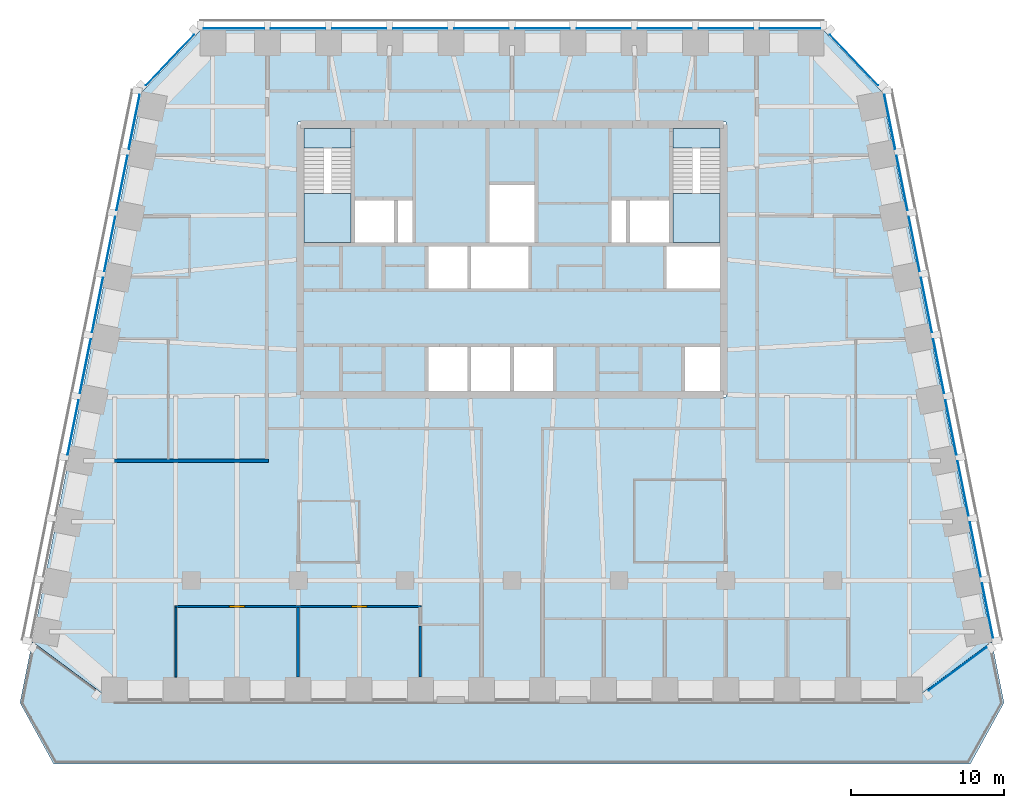
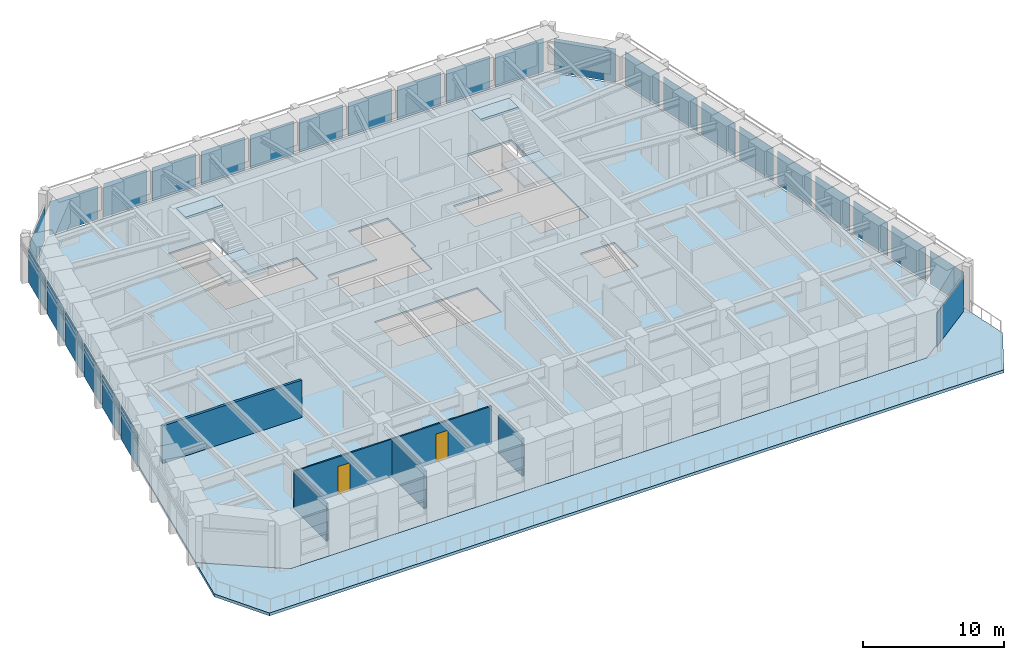
# One storey, part 4 of 10: 28 plates, 6 slabs, 5 walls, 2 doors, 2 openings, 8 elements without a shape of their own.
"""IFC4 building model written with IfcOpenShell, lengths in metres."""

from ifc_helpers import new_model, si_unit, direction, frame, frame_2d, origin, origin_2d, place, context, subcontext, project, spatial, polyline, rectangle, outline, extrude, material, layer, layer_set, type_object, element, fill, aggregate, save


model = new_model("IFC4")

# Units and contexts
model_context = context("Model", 3, precision=1e-05, world=origin(), true_north=direction((0.0, 1.0)))
body_context = subcontext(model_context, "Body", "Model", "MODEL_VIEW")
ifc_project = project(units=[si_unit("LENGTHUNIT", "METRE"), si_unit("AREAUNIT", "SQUARE_METRE"), si_unit("VOLUMEUNIT", "CUBIC_METRE"), si_unit("PLANEANGLEUNIT", "RADIAN"), si_unit("MASSUNIT", "GRAM", prefix="KILO")], contexts=[model_context])

# Site, building, storey
site_placement = place(None, origin())
site = spatial("IfcSite", under=ifc_project, at=site_placement, CompositionType="ELEMENT")
building_placement = place(site_placement, origin())
building = spatial("IfcBuilding", under=site, at=building_placement, Name="Isbrekke Arena Tower", CompositionType="ELEMENT")
storey_placement = place(building_placement, frame((0.0, 0.0, 260.0)))
storey = spatial("IfcBuildingStorey", under=building, at=storey_placement, Name="L60", CompositionType="ELEMENT", Elevation=260.0)

# Curtain wall, plate
ifc_material_1 = material(Name="Glazed aluminium curtain wall", Category="aluminium")
curtain_wall_type = type_object("IfcCurtainWallType", Name="CWT TOWER CURTAIN WALL TOP ZONE", PredefinedType="USERDEFINED", material=ifc_material_1)
curtain_wall_1_placement = place(storey_placement, origin())
curtain_wall_1 = element("IfcCurtainWall", 1, at=curtain_wall_1_placement, inside=storey, type_object=curtain_wall_type, Name="CWT curtain wall L60-SE", ObjectType="TOWER CURTAIN WALL TOP ZONE", PredefinedType="USERDEFINED")
ifc_material_2 = material(Name="Triple-glazed clear glass unit", Category="glass")
ifc_layer_1 = layer(ifc_material_2, 0.031982421875)
ifc_layer_set_1 = layer_set([ifc_layer_1], Name="CWT-P VISION PANEL")
plate_type = type_object("IfcPlateType", Name="CWT-P VISION PANEL", PredefinedType="CURTAIN_PANEL", material=ifc_layer_set_1)
plate_1_placement = place(storey_placement, frame((29.16259765625, -11.78173828125, 0.02001953125), z_axis=(0.0, 0.0, 1.0), x_axis=(0.803557193345, 0.595227550626, 0.0)))
plate_1 = element("IfcPlate", 2, at=plate_1_placement, type_object=plate_type, Name="CWT-P panel 1", PredefinedType="CURTAIN_PANEL", context=body_context, shape_type="SweptSolid", body=[
    extrude(rectangle(XDim=4.71435546875, YDim=0.031982421875, at=origin_2d()), origin(), (0.0, 0.0, 1.0), 2.8798828125),
])
aggregate(curtain_wall_1, [plate_1])

# Curtain wall, plates
curtain_wall_2_placement = place(storey_placement, origin())
curtain_wall_2 = element("IfcCurtainWall", 3, at=curtain_wall_2_placement, inside=storey, type_object=curtain_wall_type, Name="CWT curtain wall L60-E", ObjectType="TOWER CURTAIN WALL TOP ZONE", PredefinedType="USERDEFINED")
plate_2_placement = place(storey_placement, frame((31.12255859375, -7.9755859375, 0.02001953125), z_axis=(0.0, 0.0, 1.0), x_axis=(-0.196116135138, 0.980580675691, 0.0)))
plate_2 = element("IfcPlate", 4, at=plate_2_placement, type_object=plate_type, Name="CWT-P panel 1", PredefinedType="CURTAIN_PANEL", context=body_context, shape_type="SweptSolid", body=[
    extrude(rectangle(XDim=3.629150390625, YDim=0.031982421875, at=origin_2d()), origin(), (0.0, 0.0, 1.0), 2.8798828125),
])
plate_3_placement = place(storey_placement, frame((30.322509765625, -3.9755859375, 0.02001953125), z_axis=(0.0, 0.0, 1.0), x_axis=(-0.196116135138, 0.980580675691, 0.0)))
plate_3 = element("IfcPlate", 5, at=plate_3_placement, type_object=plate_type, Name="CWT-P panel 2", PredefinedType="CURTAIN_PANEL", context=body_context, shape_type="SweptSolid", body=[
    extrude(rectangle(XDim=3.629150390625, YDim=0.031982421875, at=origin_2d()), origin(), (0.0, 0.0, 1.0), 2.8798828125),
])
plate_4_placement = place(storey_placement, frame((29.5224609375, 0.0244140625, 0.02001953125), z_axis=(0.0, 0.0, 1.0), x_axis=(-0.196116135138, 0.980580675691, 0.0)))
plate_4 = element("IfcPlate", 6, at=plate_4_placement, type_object=plate_type, Name="CWT-P panel 3", PredefinedType="CURTAIN_PANEL", context=body_context, shape_type="SweptSolid", body=[
    extrude(rectangle(XDim=3.629150390625, YDim=0.031982421875, at=origin_2d()), origin(), (0.0, 0.0, 1.0), 2.8798828125),
])
plate_5_placement = place(storey_placement, frame((28.72265625, 4.0244140625, 0.02001953125), z_axis=(0.0, 0.0, 1.0), x_axis=(-0.196116135138, 0.980580675691, 0.0)))
plate_5 = element("IfcPlate", 7, at=plate_5_placement, type_object=plate_type, Name="CWT-P panel 4", PredefinedType="CURTAIN_PANEL", context=body_context, shape_type="SweptSolid", body=[
    extrude(rectangle(XDim=3.629150390625, YDim=0.031982421875, at=origin_2d()), origin(), (0.0, 0.0, 1.0), 2.8798828125),
])
plate_6_placement = place(storey_placement, frame((27.922607421875, 8.0244140625, 0.02001953125), z_axis=(0.0, 0.0, 1.0), x_axis=(-0.196116135138, 0.980580675691, 0.0)))
plate_6 = element("IfcPlate", 8, at=plate_6_placement, type_object=plate_type, Name="CWT-P panel 5", PredefinedType="CURTAIN_PANEL", context=body_context, shape_type="SweptSolid", body=[
    extrude(rectangle(XDim=3.629150390625, YDim=0.031982421875, at=origin_2d()), origin(), (0.0, 0.0, 1.0), 2.8798828125),
])
plate_7_placement = place(storey_placement, frame((27.12255859375, 12.0244140625, 0.02001953125), z_axis=(0.0, 0.0, 1.0), x_axis=(-0.196116135138, 0.980580675691, 0.0)))
plate_7 = element("IfcPlate", 9, at=plate_7_placement, type_object=plate_type, Name="CWT-P panel 6", PredefinedType="CURTAIN_PANEL", context=body_context, shape_type="SweptSolid", body=[
    extrude(rectangle(XDim=3.629150390625, YDim=0.031982421875, at=origin_2d()), origin(), (0.0, 0.0, 1.0), 2.8798828125),
])
plate_8_placement = place(storey_placement, frame((26.322509765625, 16.0244140625, 0.02001953125), z_axis=(0.0, 0.0, 1.0), x_axis=(-0.196116135138, 0.980580675691, 0.0)))
plate_8 = element("IfcPlate", 10, at=plate_8_placement, type_object=plate_type, Name="CWT-P panel 7", PredefinedType="CURTAIN_PANEL", context=body_context, shape_type="SweptSolid", body=[
    extrude(rectangle(XDim=3.629150390625, YDim=0.031982421875, at=origin_2d()), origin(), (0.0, 0.0, 1.0), 2.8798828125),
])
plate_9_placement = place(storey_placement, frame((25.5224609375, 20.0244140625, 0.02001953125), z_axis=(0.0, 0.0, 1.0), x_axis=(-0.196116135138, 0.980580675691, 0.0)))
plate_9 = element("IfcPlate", 11, at=plate_9_placement, type_object=plate_type, Name="CWT-P panel 8", PredefinedType="CURTAIN_PANEL", context=body_context, shape_type="SweptSolid", body=[
    extrude(rectangle(XDim=3.629150390625, YDim=0.031982421875, at=origin_2d()), origin(), (0.0, 0.0, 1.0), 2.8798828125),
])
plate_10_placement = place(storey_placement, frame((24.72265625, 24.0244140625, 0.02001953125), z_axis=(0.0, 0.0, 1.0), x_axis=(-0.196116135138, 0.980580675691, 0.0)))
plate_10 = element("IfcPlate", 12, at=plate_10_placement, type_object=plate_type, Name="CWT-P panel 9", PredefinedType="CURTAIN_PANEL", context=body_context, shape_type="SweptSolid", body=[
    extrude(rectangle(XDim=3.629150390625, YDim=0.031982421875, at=origin_2d()), origin(), (0.0, 0.0, 1.0), 2.8798828125),
])
aggregate(curtain_wall_2, [plate_2, plate_3, plate_4, plate_5, plate_6, plate_7, plate_8, plate_9, plate_10])

# Curtain wall, plate
curtain_wall_3_placement = place(storey_placement, origin())
curtain_wall_3 = element("IfcCurtainWall", 13, at=curtain_wall_3_placement, inside=storey, type_object=curtain_wall_type, Name="CWT curtain wall L60-EN", ObjectType="TOWER CURTAIN WALL TOP ZONE", PredefinedType="USERDEFINED")
plate_11_placement = place(storey_placement, frame((22.374755859375, 28.06640625, 0.02001953125), z_axis=(0.0, 0.0, 1.0), x_axis=(-0.68874946192, 0.72499943359, 0.0)))
plate_11 = element("IfcPlate", 14, at=plate_11_placement, type_object=plate_type, Name="CWT-P panel 1", PredefinedType="CURTAIN_PANEL", context=body_context, shape_type="SweptSolid", body=[
    extrude(rectangle(XDim=4.558349609375, YDim=0.031982421875, at=origin_2d()), origin(), (0.0, 0.0, 1.0), 2.8798828125),
])
aggregate(curtain_wall_3, [plate_11])

# Curtain wall, plates
curtain_wall_4_placement = place(storey_placement, origin())
curtain_wall_4 = element("IfcCurtainWall", 15, at=curtain_wall_4_placement, inside=storey, type_object=curtain_wall_type, Name="CWT curtain wall L60-N", ObjectType="TOWER CURTAIN WALL TOP ZONE", PredefinedType="USERDEFINED")
plate_12_placement = place(storey_placement, frame((18.199951171875, 30.125, 0.02001953125), z_axis=(0.0, 0.0, 1.0), x_axis=(-1.0, 0.0, 0.0)))
plate_12 = element("IfcPlate", 16, at=plate_12_placement, type_object=plate_type, Name="CWT-P panel 1", PredefinedType="CURTAIN_PANEL", context=body_context, shape_type="SweptSolid", body=[
    extrude(rectangle(XDim=3.949951171875, YDim=0.031982421875, at=origin_2d()), origin(), (0.0, 0.0, 1.0), 2.8798828125),
])
plate_13_placement = place(storey_placement, frame((14.0, 30.125, 0.02001953125), z_axis=(0.0, 0.0, 1.0), x_axis=(-1.0, 0.0, 0.0)))
plate_13 = element("IfcPlate", 17, at=plate_13_placement, type_object=plate_type, Name="CWT-P panel 2", PredefinedType="CURTAIN_PANEL", context=body_context, shape_type="SweptSolid", body=[
    extrude(rectangle(XDim=3.550048828125, YDim=0.031982421875, at=origin_2d()), origin(), (0.0, 0.0, 1.0), 2.8798828125),
])
plate_14_placement = place(storey_placement, frame((10.0, 30.125, 0.02001953125), z_axis=(0.0, 0.0, 1.0), x_axis=(-1.0, 0.0, 0.0)))
plate_14 = element("IfcPlate", 18, at=plate_14_placement, type_object=plate_type, Name="CWT-P panel 3", PredefinedType="CURTAIN_PANEL", context=body_context, shape_type="SweptSolid", body=[
    extrude(rectangle(XDim=3.550048828125, YDim=0.031982421875, at=origin_2d()), origin(), (0.0, 0.0, 1.0), 2.8798828125),
])
plate_15_placement = place(storey_placement, frame((6.0, 30.125, 0.02001953125), z_axis=(0.0, 0.0, 1.0), x_axis=(-1.0, 0.0, 0.0)))
plate_15 = element("IfcPlate", 19, at=plate_15_placement, type_object=plate_type, Name="CWT-P panel 4", PredefinedType="CURTAIN_PANEL", context=body_context, shape_type="SweptSolid", body=[
    extrude(rectangle(XDim=3.550048828125, YDim=0.031982421875, at=origin_2d()), origin(), (0.0, 0.0, 1.0), 2.8798828125),
])
plate_16_placement = place(storey_placement, frame((2.0, 30.125, 0.02001953125), z_axis=(0.0, 0.0, 1.0), x_axis=(-1.0, 0.0, 0.0)))
plate_16 = element("IfcPlate", 20, at=plate_16_placement, type_object=plate_type, Name="CWT-P panel 5", PredefinedType="CURTAIN_PANEL", context=body_context, shape_type="SweptSolid", body=[
    extrude(rectangle(XDim=3.550048828125, YDim=0.031982421875, at=origin_2d()), origin(), (0.0, 0.0, 1.0), 2.8798828125),
])
plate_17_placement = place(storey_placement, frame((-2.0, 30.125, 0.02001953125), z_axis=(0.0, 0.0, 1.0), x_axis=(-1.0, 0.0, 0.0)))
plate_17 = element("IfcPlate", 21, at=plate_17_placement, type_object=plate_type, Name="CWT-P panel 6", PredefinedType="CURTAIN_PANEL", context=body_context, shape_type="SweptSolid", body=[
    extrude(rectangle(XDim=3.550048828125, YDim=0.031982421875, at=origin_2d()), origin(), (0.0, 0.0, 1.0), 2.8798828125),
])
plate_18_placement = place(storey_placement, frame((-6.0, 30.125, 0.02001953125), z_axis=(0.0, 0.0, 1.0), x_axis=(-1.0, 0.0, 0.0)))
plate_18 = element("IfcPlate", 22, at=plate_18_placement, type_object=plate_type, Name="CWT-P panel 7", PredefinedType="CURTAIN_PANEL", context=body_context, shape_type="SweptSolid", body=[
    extrude(rectangle(XDim=3.550048828125, YDim=0.031982421875, at=origin_2d()), origin(), (0.0, 0.0, 1.0), 2.8798828125),
])
plate_19_placement = place(storey_placement, frame((-10.0, 30.125, 0.02001953125), z_axis=(0.0, 0.0, 1.0), x_axis=(-1.0, 0.0, 0.0)))
plate_19 = element("IfcPlate", 23, at=plate_19_placement, type_object=plate_type, Name="CWT-P panel 8", PredefinedType="CURTAIN_PANEL", context=body_context, shape_type="SweptSolid", body=[
    extrude(rectangle(XDim=3.550048828125, YDim=0.031982421875, at=origin_2d()), origin(), (0.0, 0.0, 1.0), 2.8798828125),
])
plate_20_placement = place(storey_placement, frame((-14.0, 30.125, 0.02001953125), z_axis=(0.0, 0.0, 1.0), x_axis=(-1.0, 0.0, 0.0)))
plate_20 = element("IfcPlate", 24, at=plate_20_placement, type_object=plate_type, Name="CWT-P panel 9", PredefinedType="CURTAIN_PANEL", context=body_context, shape_type="SweptSolid", body=[
    extrude(rectangle(XDim=3.550048828125, YDim=0.031982421875, at=origin_2d()), origin(), (0.0, 0.0, 1.0), 2.8798828125),
])
plate_21_placement = place(storey_placement, frame((-18.199951171875, 30.125, 0.02001953125), z_axis=(0.0, 0.0, 1.0), x_axis=(-1.0, 0.0, 0.0)))
plate_21 = element("IfcPlate", 25, at=plate_21_placement, type_object=plate_type, Name="CWT-P panel 10", PredefinedType="CURTAIN_PANEL", context=body_context, shape_type="SweptSolid", body=[
    extrude(rectangle(XDim=3.949951171875, YDim=0.031982421875, at=origin_2d()), origin(), (0.0, 0.0, 1.0), 2.8798828125),
])
aggregate(curtain_wall_4, [plate_12, plate_13, plate_14, plate_15, plate_16, plate_17, plate_18, plate_19, plate_20, plate_21])

# Curtain wall, plate
curtain_wall_5_placement = place(storey_placement, origin())
curtain_wall_5 = element("IfcCurtainWall", 26, at=curtain_wall_5_placement, inside=storey, type_object=curtain_wall_type, Name="CWT curtain wall L60-NW", ObjectType="TOWER CURTAIN WALL TOP ZONE", PredefinedType="USERDEFINED")
plate_22_placement = place(storey_placement, frame((-22.37451171875, 28.066650390625, 0.02001953125), z_axis=(0.0, 0.0, 1.0), x_axis=(-0.68874946192, -0.72499943359, 0.0)))
plate_22 = element("IfcPlate", 27, at=plate_22_placement, type_object=plate_type, Name="CWT-P panel 1", PredefinedType="CURTAIN_PANEL", context=body_context, shape_type="SweptSolid", body=[
    extrude(rectangle(XDim=4.557373046875, YDim=0.031982421875, at=origin_2d()), origin(), (0.0, 0.0, 1.0), 2.8798828125),
])
aggregate(curtain_wall_5, [plate_22])

# Curtain wall, plates
curtain_wall_6_placement = place(storey_placement, origin())
curtain_wall_6 = element("IfcCurtainWall", 28, at=curtain_wall_6_placement, inside=storey, type_object=curtain_wall_type, Name="CWT curtain wall L60-W", ObjectType="TOWER CURTAIN WALL TOP ZONE", PredefinedType="USERDEFINED")
plate_23_placement = place(storey_placement, frame((-24.72265625, 24.0244140625, 0.02001953125), z_axis=(0.0, 0.0, 1.0), x_axis=(-0.196116135138, -0.980580675691, 0.0)))
plate_23 = element("IfcPlate", 29, at=plate_23_placement, type_object=plate_type, Name="CWT-P panel 1", PredefinedType="CURTAIN_PANEL", context=body_context, shape_type="SweptSolid", body=[
    extrude(rectangle(XDim=3.629150390625, YDim=0.031982421875, at=origin_2d()), origin(), (0.0, 0.0, 1.0), 2.8798828125),
])
plate_24_placement = place(storey_placement, frame((-25.5224609375, 20.0244140625, 0.02001953125), z_axis=(0.0, 0.0, 1.0), x_axis=(-0.196116135138, -0.980580675691, 0.0)))
plate_24 = element("IfcPlate", 30, at=plate_24_placement, type_object=plate_type, Name="CWT-P panel 2", PredefinedType="CURTAIN_PANEL", context=body_context, shape_type="SweptSolid", body=[
    extrude(rectangle(XDim=3.629150390625, YDim=0.031982421875, at=origin_2d()), origin(), (0.0, 0.0, 1.0), 2.8798828125),
])
plate_25_placement = place(storey_placement, frame((-26.322509765625, 16.0244140625, 0.02001953125), z_axis=(0.0, 0.0, 1.0), x_axis=(-0.196116135138, -0.980580675691, 0.0)))
plate_25 = element("IfcPlate", 31, at=plate_25_placement, type_object=plate_type, Name="CWT-P panel 3", PredefinedType="CURTAIN_PANEL", context=body_context, shape_type="SweptSolid", body=[
    extrude(rectangle(XDim=3.629150390625, YDim=0.031982421875, at=origin_2d()), origin(), (0.0, 0.0, 1.0), 2.8798828125),
])
plate_26_placement = place(storey_placement, frame((-27.12255859375, 12.0244140625, 0.02001953125), z_axis=(0.0, 0.0, 1.0), x_axis=(-0.196116135138, -0.980580675691, 0.0)))
plate_26 = element("IfcPlate", 32, at=plate_26_placement, type_object=plate_type, Name="CWT-P panel 4", PredefinedType="CURTAIN_PANEL", context=body_context, shape_type="SweptSolid", body=[
    extrude(rectangle(XDim=3.629150390625, YDim=0.031982421875, at=origin_2d()), origin(), (0.0, 0.0, 1.0), 2.8798828125),
])
plate_27_placement = place(storey_placement, frame((-27.922607421875, 8.0244140625, 0.02001953125), z_axis=(0.0, 0.0, 1.0), x_axis=(-0.196116135138, -0.980580675691, 0.0)))
plate_27 = element("IfcPlate", 33, at=plate_27_placement, type_object=plate_type, Name="CWT-P panel 5", PredefinedType="CURTAIN_PANEL", context=body_context, shape_type="SweptSolid", body=[
    extrude(rectangle(XDim=3.629150390625, YDim=0.031982421875, at=origin_2d()), origin(), (0.0, 0.0, 1.0), 2.8798828125),
])
plate_28_placement = place(storey_placement, frame((-28.72265625, 4.0244140625, 0.02001953125), z_axis=(0.0, 0.0, 1.0), x_axis=(-0.196116135138, -0.980580675691, 0.0)))
plate_28 = element("IfcPlate", 34, at=plate_28_placement, type_object=plate_type, Name="CWT-P panel 6", PredefinedType="CURTAIN_PANEL", context=body_context, shape_type="SweptSolid", body=[
    extrude(rectangle(XDim=3.629150390625, YDim=0.031982421875, at=origin_2d()), origin(), (0.0, 0.0, 1.0), 2.8798828125),
])
aggregate(curtain_wall_6, [plate_23, plate_24, plate_25, plate_26, plate_27, plate_28])

# Slab
ifc_material_3 = material(Name="Concrete B35 (C35/45)", Category="concrete")
ifc_layer_2 = layer(ifc_material_3, 0.14990234375)
ifc_layer_set_2 = layer_set([ifc_layer_2], Name="FS1 COMPOSITE FLOOR 150")
slab_type_1 = type_object("IfcSlabType", Name="FS1 COMPOSITE FLOOR 150", PredefinedType="FLOOR", material=ifc_layer_set_2)
slab_1_placement = place(storey_placement, frame((0.0, 0.0, -0.14990234375)))
element("IfcSlab", 35, at=slab_1_placement, inside=storey, type_object=slab_type_1, Name="FS1 floor slab L60", PredefinedType="FLOOR", context=body_context, shape_type="SweptSolid", body=[
    extrude(outline(polyline([(-26.0, -14.0), (26.0, -14.0), (31.39990234375, -10.0), (24.199951171875, 26.0), (20.39990234375, 30.0), (-20.39990234375, 30.0), (-24.199951171875, 26.0), (-31.39990234375, -10.0), (-26.0, -14.0)]), holes=[polyline([(2.800048828125, 9.39990234375), (2.800048828125, 6.0), (-5.60009765625, 6.0), (-5.60009765625, 9.39990234375), (2.800048828125, 9.39990234375)]), polyline([(11.199951171875, 6.0), (11.199951171875, 9.39990234375), (14.0, 9.39990234375), (14.0, 6.0), (11.199951171875, 6.0)]), polyline([(-5.60009765625, 13.0), (-5.60009765625, 16.0), (-1.60009765625, 16.0), (-1.60009765625, 20.0), (1.60009765625, 20.0), (1.60009765625, 16.0), (1.199951171875, 16.0), (1.199951171875, 13.0), (-5.60009765625, 13.0)]), polyline([(14.0, 13.0), (10.0, 13.0), (10.0, 16.0), (6.39990234375, 16.0), (6.39990234375, 19.0), (10.39990234375, 19.0), (10.39990234375, 24.0), (14.0, 24.0), (14.0, 13.0)]), polyline([(-6.39990234375, 19.0), (-6.39990234375, 16.0), (-14.0, 16.0), (-14.0, 24.0), (-10.39990234375, 24.0), (-10.39990234375, 19.0), (-6.39990234375, 19.0)])]), origin(), (0.0, 0.0, 1.0), 0.14990234375),
])

# Stair, slabs
ifc_material_4 = material(Name="Concrete B45 (C45/55) precast", Category="concrete")
stair_type = type_object("IfcStairType", Name="ST40 STAIR 1300 WIDE, 24 RISERS 167", PredefinedType="HALF_TURN_STAIR", material=ifc_material_4)
stair_1_placement = place(storey_placement, origin())
stair_1 = element("IfcStair", 36, at=stair_1_placement, inside=storey, type_object=stair_type, Name="ST1 stair L60", PredefinedType="HALF_TURN_STAIR")
ifc_material_5 = material(Name="Concrete B35 (C35/45)", Category="concrete")
ifc_layer_3 = layer(ifc_material_5, 0.199951171875)
ifc_layer_set_3 = layer_set([ifc_layer_3], Name="SL1 STAIR LANDING 200")
slab_type_2 = type_object("IfcSlabType", Name="SL1 STAIR LANDING 200", PredefinedType="LANDING", material=ifc_layer_set_3)
slab_2_placement = place(storey_placement, frame((0.0, 0.0, 1.800048828125)))
slab_2 = element("IfcSlab", 37, at=slab_2_placement, type_object=slab_type_2, Name="ST1 landing 1", PredefinedType="LANDING", context=body_context, shape_type="SweptSolid", body=[
    extrude(outline(polyline([(-13.60009765625, 16.125), (-10.52490234375, 16.125), (-10.52490234375, 19.330078125), (-13.60009765625, 19.330078125), (-13.60009765625, 16.125)])), origin(), (0.0, 0.0, 1.0), 0.199951171875),
])
slab_3_placement = place(storey_placement, frame((0.0, 0.0, 3.800048828125)))
slab_3 = element("IfcSlab", 38, at=slab_3_placement, type_object=slab_type_2, Name="ST1 landing 2", PredefinedType="LANDING", context=body_context, shape_type="SweptSolid", body=[
    extrude(outline(polyline([(-13.60009765625, 22.300048828125), (-10.52490234375, 22.300048828125), (-10.52490234375, 23.60009765625), (-13.60009765625, 23.60009765625), (-13.60009765625, 22.300048828125)])), origin(), (0.0, 0.0, 1.0), 0.199951171875),
])
aggregate(stair_1, [slab_2, slab_3])

stair_2_placement = place(storey_placement, origin())
stair_2 = element("IfcStair", 39, at=stair_2_placement, inside=storey, type_object=stair_type, Name="ST2 stair L60", PredefinedType="HALF_TURN_STAIR")
slab_4_placement = place(storey_placement, frame((0.0, 0.0, 1.800048828125)))
slab_4 = element("IfcSlab", 40, at=slab_4_placement, type_object=slab_type_2, Name="ST2 landing 1", PredefinedType="LANDING", context=body_context, shape_type="SweptSolid", body=[
    extrude(outline(polyline([(10.52490234375, 16.125), (13.60009765625, 16.125), (13.60009765625, 19.330078125), (10.52490234375, 19.330078125), (10.52490234375, 16.125)])), origin(), (0.0, 0.0, 1.0), 0.199951171875),
])
slab_5_placement = place(storey_placement, frame((0.0, 0.0, 3.800048828125)))
slab_5 = element("IfcSlab", 41, at=slab_5_placement, type_object=slab_type_2, Name="ST2 landing 2", PredefinedType="LANDING", context=body_context, shape_type="SweptSolid", body=[
    extrude(outline(polyline([(10.52490234375, 22.300048828125), (13.60009765625, 22.300048828125), (13.60009765625, 23.60009765625), (10.52490234375, 23.60009765625), (10.52490234375, 22.300048828125)])), origin(), (0.0, 0.0, 1.0), 0.199951171875),
])
aggregate(stair_2, [slab_4, slab_5])

# Slab
ifc_material_6 = material(Name="Concrete B35 (C35/45)", Category="concrete")
ifc_layer_4 = layer(ifc_material_6, 0.25)
ifc_layer_set_4 = layer_set([ifc_layer_4], Name="TS1 TERRACE SLAB 250")
slab_type_3 = type_object("IfcSlabType", Name="TS1 TERRACE SLAB 250", PredefinedType="FLOOR", material=ifc_layer_set_4)
slab_6_placement = place(storey_placement, frame((0.0, 0.0, -0.25)))
element("IfcSlab", 42, at=slab_6_placement, inside=storey, type_object=slab_type_3, Name="TS1 terrace slab L60", PredefinedType="FLOOR", context=body_context, shape_type="SweptSolid", body=[
    extrude(outline(polyline([(-30.0, -18.0), (30.0, -18.0), (32.199951171875, -14.0), (31.39990234375, -10.0), (26.0, -14.0), (-26.0, -14.0), (-31.39990234375, -10.0), (-32.199951171875, -14.0), (-30.0, -18.0)])), origin(), (0.0, 0.0, 1.0), 0.25),
])

# Wall
ifc_material_7 = material(Name="Gypsum board partition on steel studs", Category="steel")
ifc_layer_5 = layer(ifc_material_7, 0.14990234375)
ifc_layer_set_5 = layer_set([ifc_layer_5], Name="IW1 PARTITION 150")
wall_type_1 = type_object("IfcWallType", Name="IW1 PARTITION 150", PredefinedType="PARTITIONING", material=ifc_layer_set_5)
wall_1_placement = place(storey_placement, frame((-6.0, -12.324951171875, 0.0), z_axis=(0.0, 0.0, 1.0), x_axis=(0.0, 1.0, 0.0)))
element("IfcWall", 43, at=wall_1_placement, inside=storey, type_object=wall_type_1, Name="IW1 partition 150 L60", PredefinedType="PARTITIONING", context=body_context, shape_type="SweptSolid", body=[
    extrude(rectangle(XDim=3.349853515625, YDim=0.14990234375, at=frame_2d((1.6748046875, 0.0))), origin(), (0.0, 0.0, 1.0), 3.22998046875),
])

# Wall, openings, doors
ifc_material_8 = material(Name="Frameless glazed partition, laminated acoustic glass", Category="glass")
ifc_layer_6 = layer(ifc_material_8, 0.1201171875)
ifc_layer_set_6 = layer_set([ifc_layer_6], Name="IW2 GLAZED PARTITION 120")
wall_type_2 = type_object("IfcWallType", Name="IW2 GLAZED PARTITION 120", PredefinedType="PARTITIONING", material=ifc_layer_set_6)
wall_2_placement = place(storey_placement, frame((-22.06005859375, -7.699951171875, 0.0), z_axis=(0.0, 0.0, 1.0), x_axis=(1.0, 0.0, 0.0)))
wall_2 = element("IfcWall", 44, at=wall_2_placement, inside=storey, type_object=wall_type_2, Name="IW2 glazed partition 120 L60", PredefinedType="PARTITIONING", context=body_context, shape_type="SweptSolid", body=[
    extrude(rectangle(XDim=16.1201171875, YDim=0.1201171875, at=frame_2d((8.06005859375, 0.0))), origin(), (0.0, 0.0, 1.0), 3.22998046875),
])
opening_1_placement = place(wall_2_placement, frame((3.56005859375, 0.0, 0.0)))
opening_1 = element("IfcOpeningElement", 45, at=opening_1_placement, cuts=wall_2, Name="Opening D11", PredefinedType="OPENING", context=body_context, shape_type="SweptSolid", body=[
    extrude(rectangle(XDim=1.0, YDim=2.39990234375, at=frame_2d((0.5, 1.199951171875))), frame((0.0, 0.074951171875, 0.0), z_axis=(0.0, -1.0, 0.0), x_axis=(1.0, 0.0, 0.0)), (0.0, 0.0, 1.0), 0.14990234375),
])
opening_2_placement = place(wall_2_placement, frame((11.56005859375, 0.0, 0.0)))
opening_2 = element("IfcOpeningElement", 46, at=opening_2_placement, cuts=wall_2, Name="Opening D11", PredefinedType="OPENING", context=body_context, shape_type="SweptSolid", body=[
    extrude(rectangle(XDim=1.0, YDim=2.39990234375, at=frame_2d((0.5, 1.199951171875))), frame((0.0, 0.074951171875, 0.0), z_axis=(0.0, -1.0, 0.0), x_axis=(1.0, 0.0, 0.0)), (0.0, 0.0, 1.0), 0.14990234375),
])
ifc_material_9 = material(Name="Frameless glazed door", Category="glass")
door_type = type_object("IfcDoorType", Name="D11 GLAZED MEETING ROOM DOOR 1000 x 2400", OperationType="SINGLE_SWING_RIGHT", PredefinedType="DOOR", material=ifc_material_9)
door_1_placement = place(opening_1_placement, origin())
door_1 = element("IfcDoor", 47, at=door_1_placement, inside=storey, type_object=door_type, Name="D11 meeting room door L60", OperationType="SINGLE_SWING_RIGHT", OverallHeight=2.39990234375, OverallWidth=1.0, PredefinedType="DOOR", context=body_context, shape_type="SweptSolid", body=[
    extrude(rectangle(XDim=1.0, YDim=2.39990234375, at=frame_2d((0.5, 1.199951171875))), frame((0.0, 0.059814453125, 0.0), z_axis=(0.0, -1.0, 0.0), x_axis=(1.0, 0.0, 0.0)), (0.0, 0.0, 1.0), 0.11962890625),
])
fill(opening_1, door_1)
door_2_placement = place(opening_2_placement, origin())
door_2 = element("IfcDoor", 48, at=door_2_placement, inside=storey, type_object=door_type, Name="D11 meeting room door L60", OperationType="SINGLE_SWING_RIGHT", OverallHeight=2.39990234375, OverallWidth=1.0, PredefinedType="DOOR", context=body_context, shape_type="SweptSolid", body=[
    extrude(rectangle(XDim=1.0, YDim=2.39990234375, at=frame_2d((0.5, 1.199951171875))), frame((0.0, 0.059814453125, 0.0), z_axis=(0.0, -1.0, 0.0), x_axis=(1.0, 0.0, 0.0)), (0.0, 0.0, 1.0), 0.11962890625),
])
fill(opening_2, door_2)

# Walls
wall_3_placement = place(storey_placement, frame((-22.0, -12.324951171875, 0.0), z_axis=(0.0, 0.0, 1.0), x_axis=(0.0, 1.0, 0.0)))
element("IfcWall", 49, at=wall_3_placement, inside=storey, type_object=wall_type_2, Name="IW2 glazed partition 120 L60", PredefinedType="PARTITIONING", context=body_context, shape_type="SweptSolid", body=[
    extrude(rectangle(XDim=4.56494140625, YDim=0.1201171875, at=frame_2d((2.282470703125, 0.0))), origin(), (0.0, 0.0, 1.0), 3.22998046875),
])
ifc_material_10 = material(Name="Gypsum board fire-cell wall on steel studs, two layers each side", Category="steel")
ifc_layer_7 = layer(ifc_material_10, 0.199951171875)
ifc_layer_set_7 = layer_set([ifc_layer_7], Name="IW3 FIRE-CELL WALL 200")
wall_type_3 = type_object("IfcWallType", Name="IW3 FIRE-CELL WALL 200", PredefinedType="PARTITIONING", material=ifc_layer_set_7)
wall_4_placement = place(storey_placement, frame((-27.32373046875, 1.840087890625, 0.0), z_axis=(0.0, 0.0, 1.0), x_axis=(1.0, 0.0, 0.0)))
element("IfcWall", 50, at=wall_4_placement, inside=storey, type_object=wall_type_3, Name="IW3 fire-cell wall 200 L60", PredefinedType="PARTITIONING", context=body_context, shape_type="SweptSolid", body=[
    extrude(rectangle(XDim=11.373779296875, YDim=0.199951171875, at=frame_2d((5.68701171875, 0.0))), origin(), (0.0, 0.0, 1.0), 3.22998046875),
])
ifc_material_11 = material(Name="Gypsum board acoustic partition on twin steel studs", Category="steel")
ifc_layer_8 = layer(ifc_material_11, 0.175048828125)
ifc_layer_set_8 = layer_set([ifc_layer_8], Name="IW4 ACOUSTIC PARTITION 175")
wall_type_4 = type_object("IfcWallType", Name="IW4 ACOUSTIC PARTITION 175", PredefinedType="PARTITIONING", material=ifc_layer_set_8)
wall_5_placement = place(storey_placement, frame((-14.0, -12.324951171875, 0.0), z_axis=(0.0, 0.0, 1.0), x_axis=(0.0, 1.0, 0.0)))
element("IfcWall", 51, at=wall_5_placement, inside=storey, type_object=wall_type_4, Name="IW4 acoustic partition 175 L60", PredefinedType="PARTITIONING", context=body_context, shape_type="SweptSolid", body=[
    extrude(rectangle(XDim=4.56494140625, YDim=0.175048828125, at=frame_2d((2.282470703125, 0.0))), origin(), (0.0, 0.0, 1.0), 3.22998046875),
])

save(model, "model.ifc")
